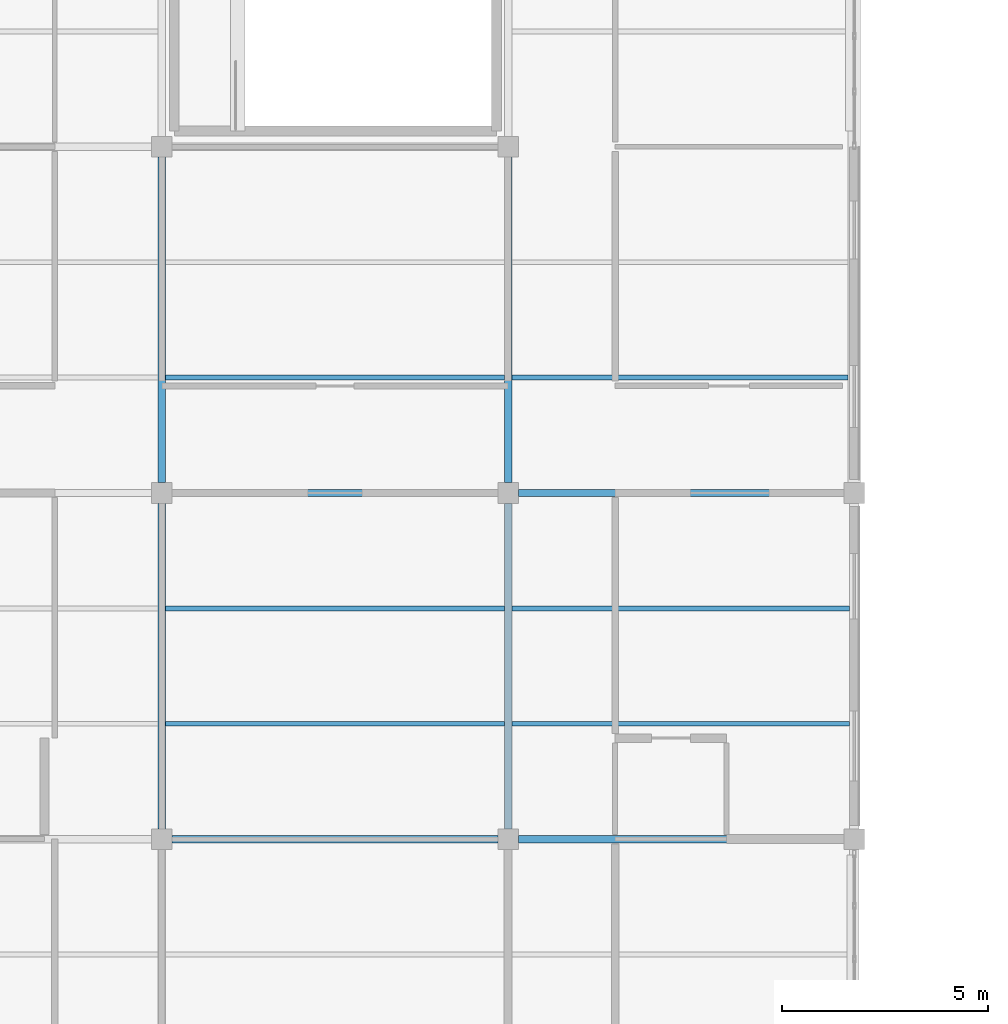
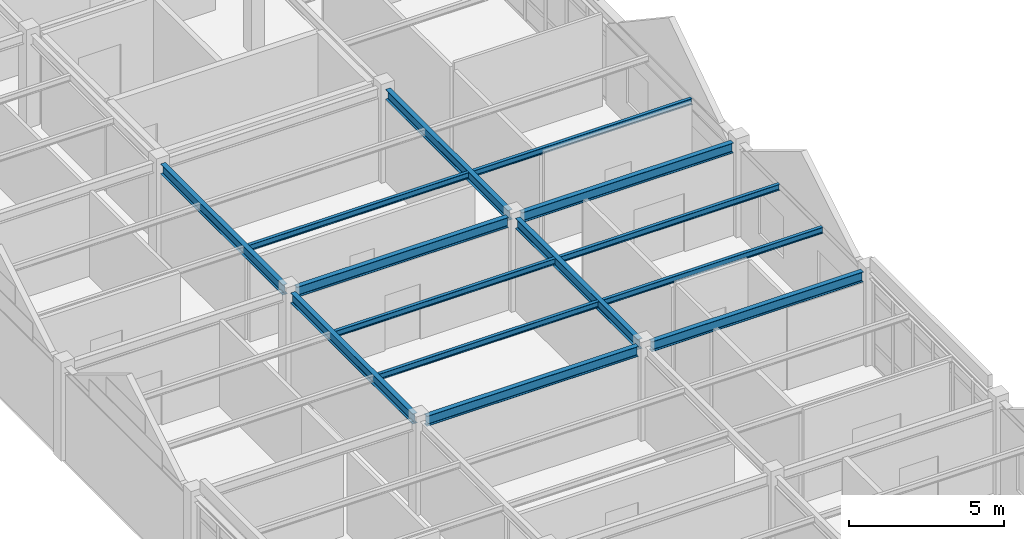
# One storey, part 7 of 45: 14 beams.
"""IFC4 building model written with IfcOpenShell, lengths in metres."""

from ifc_helpers import new_model, si_unit, direction, frame, origin, origin_2d, place, context, subcontext, project, spatial, i_section, extrude, material, material_profile, profile_set, type_object, element, save


model = new_model("IFC4")

# Units and contexts
model_context = context("Model", 3, precision=1e-05, world=origin(), true_north=direction((0.0, 1.0)))
body_context = subcontext(model_context, "Body", "Model", "MODEL_VIEW")
ifc_project = project(units=[si_unit("LENGTHUNIT", "METRE"), si_unit("AREAUNIT", "SQUARE_METRE"), si_unit("VOLUMEUNIT", "CUBIC_METRE"), si_unit("PLANEANGLEUNIT", "RADIAN"), si_unit("MASSUNIT", "GRAM", prefix="KILO")], contexts=[model_context])

# Site, building, storey
site_placement = place(None, origin())
site = spatial("IfcSite", under=ifc_project, at=site_placement, CompositionType="ELEMENT")
building_placement = place(site_placement, origin())
building = spatial("IfcBuilding", under=site, at=building_placement, Name="Bramfleet General Hospital", CompositionType="ELEMENT")
storey_placement = place(building_placement, frame((0.0, 0.0, 30.300048828125)))
storey = spatial("IfcBuildingStorey", under=building, at=storey_placement, Name="L07", CompositionType="ELEMENT", Elevation=30.300048828125)

# Beams
ifc_material = material(Name="Steel S355", Category="steel")
ifc_material_profile_1 = material_profile(ifc_material, i_section(OverallWidth=0.1201171875, OverallDepth=0.239990234375, WebThickness=0.006103515625, FlangeThickness=0.009765625, FilletRadius=0.014892578125, at=origin_2d()), Name="IPE 240")
ifc_profile_set_1 = profile_set([ifc_material_profile_1], Name="Steel S355")
beam_type_1 = type_object("IfcBeamType", Name="BM-IPE240", PredefinedType="JOIST", material=ifc_profile_set_1)
for number, where, z_axis, x_axis, name in (
    (1, (100.889892578125, 53.199951171875, 3.5400390625), (1.0, 0.0, 0.0), (0.0, 1.0, 0.0), "L07 Secondary Joist 12-06-1"),
    (2, (100.889892578125, 56.0, 3.5400390625), (1.0, 0.0, 0.0), (0.0, 1.0, 0.0), "L07 Secondary Joist 12-06-2"),
    (3, (100.889892578125, 61.60009765625, 3.5400390625), (1.0, 0.0, 0.0), (0.0, 1.0, 0.0), "L07 Secondary Joist 12-07-1"),
):
    element("IfcBeam", number, at=place(storey_placement, frame(where, z_axis=z_axis, x_axis=x_axis)), inside=storey, type_object=beam_type_1, Name=name, PredefinedType="JOIST", context=body_context, shape_type="SweptSolid", body=[
        extrude(i_section(OverallWidth=0.1201171875, OverallDepth=0.239990234375, WebThickness=0.006103515625, FlangeThickness=0.009765625, FilletRadius=0.014892578125, at=origin_2d()), origin(), (0.0, 0.0, 1.0), 8.22021484375),
    ])
for number, where, z_axis, x_axis, name in (
    (4, (109.2900390625, 53.199951171875, 3.5400390625), (1.0, 0.0, 0.0), (0.0, 1.0, 0.0), "L07 Secondary Joist 13-06-1"),
    (5, (109.2900390625, 56.0, 3.5400390625), (1.0, 0.0, 0.0), (0.0, 1.0, 0.0), "L07 Secondary Joist 13-06-2"),
):
    element("IfcBeam", number, at=place(storey_placement, frame(where, z_axis=z_axis, x_axis=x_axis)), inside=storey, type_object=beam_type_1, Name=name, PredefinedType="JOIST", context=body_context, shape_type="SweptSolid", body=[
        extrude(i_section(OverallWidth=0.1201171875, OverallDepth=0.239990234375, WebThickness=0.006103515625, FlangeThickness=0.009765625, FilletRadius=0.014892578125, at=origin_2d()), origin(), (0.0, 0.0, 1.0), 8.18994140625),
    ])
beam_1_placement = place(storey_placement, frame((109.2900390625, 61.60009765625, 3.5400390625), z_axis=(1.0, 0.0, 0.0), x_axis=(0.0, 1.0, 0.0)))
element("IfcBeam", 6, at=beam_1_placement, inside=storey, type_object=beam_type_1, Name="L07 Secondary Joist 13-07-1", PredefinedType="JOIST", context=body_context, shape_type="SweptSolid", body=[
    extrude(i_section(OverallWidth=0.1201171875, OverallDepth=0.239990234375, WebThickness=0.006103515625, FlangeThickness=0.009765625, FilletRadius=0.014892578125, at=origin_2d()), origin(), (0.0, 0.0, 1.0), 8.159912109375),
])
ifc_material_profile_2 = material_profile(ifc_material, i_section(OverallWidth=0.179931640625, OverallDepth=0.39990234375, WebThickness=0.008544921875, FlangeThickness=0.013427734375, FilletRadius=0.02099609375, at=origin_2d()), Name="IPE 400")
ifc_profile_set_2 = profile_set([ifc_material_profile_2], Name="Steel S355")
beam_type_2 = type_object("IfcBeamType", Name="BM-IPE400", PredefinedType="BEAM", material=ifc_profile_set_2)
for number, where, z_axis, x_axis, name in (
    (7, (101.050048828125, 50.39990234375, 3.4599609375), (1.0, 0.0, 0.0), (0.0, 1.0, 0.0), "L07 Grid Beam X 12-06"),
    (8, (101.050048828125, 58.800048828125, 3.4599609375), (1.0, 0.0, 0.0), (0.0, 1.0, 0.0), "L07 Grid Beam X 12-07"),
):
    element("IfcBeam", number, at=place(storey_placement, frame(where, z_axis=z_axis, x_axis=x_axis)), inside=storey, type_object=beam_type_2, Name=name, PredefinedType="BEAM", context=body_context, shape_type="SweptSolid", body=[
        extrude(i_section(OverallWidth=0.179931640625, OverallDepth=0.39990234375, WebThickness=0.008544921875, FlangeThickness=0.013427734375, FilletRadius=0.02099609375, at=origin_2d()), origin(), (0.0, 0.0, 1.0), 7.89990234375),
    ])
for number, where, z_axis, x_axis, name in (
    (9, (109.449951171875, 50.39990234375, 3.4599609375), (1.0, 0.0, 0.0), (0.0, 1.0, 0.0), "L07 Grid Beam X 13-06"),
    (10, (109.449951171875, 58.800048828125, 3.4599609375), (1.0, 0.0, 0.0), (0.0, 1.0, 0.0), "L07 Grid Beam X 13-07"),
    (11, (100.800048828125, 50.64990234375, 3.4599609375), (0.0, 1.0, 0.0), (-1.0, 0.0, 0.0), "L07 Grid Beam Y 12-06"),
):
    element("IfcBeam", number, at=place(storey_placement, frame(where, z_axis=z_axis, x_axis=x_axis)), inside=storey, type_object=beam_type_2, Name=name, PredefinedType="BEAM", context=body_context, shape_type="SweptSolid", body=[
        extrude(i_section(OverallWidth=0.179931640625, OverallDepth=0.39990234375, WebThickness=0.008544921875, FlangeThickness=0.013427734375, FilletRadius=0.02099609375, at=origin_2d()), origin(), (0.0, 0.0, 1.0), 7.900146484375),
    ])
beam_2_placement = place(storey_placement, frame((100.800048828125, 59.050048828125, 3.4599609375), z_axis=(0.0, 1.0, 0.0), x_axis=(-1.0, 0.0, 0.0)))
element("IfcBeam", 12, at=beam_2_placement, inside=storey, type_object=beam_type_2, Name="L07 Grid Beam Y 12-07", PredefinedType="BEAM", context=body_context, shape_type="SweptSolid", body=[
    extrude(i_section(OverallWidth=0.179931640625, OverallDepth=0.39990234375, WebThickness=0.008544921875, FlangeThickness=0.013427734375, FilletRadius=0.02099609375, at=origin_2d()), origin(), (0.0, 0.0, 1.0), 7.89990234375),
])
beam_3_placement = place(storey_placement, frame((109.199951171875, 50.64990234375, 3.4599609375), z_axis=(0.0, 1.0, 0.0), x_axis=(-1.0, 0.0, 0.0)))
element("IfcBeam", 13, at=beam_3_placement, inside=storey, type_object=beam_type_2, Name="L07 Grid Beam Y 13-06", PredefinedType="BEAM", context=body_context, shape_type="SweptSolid", body=[
    extrude(i_section(OverallWidth=0.179931640625, OverallDepth=0.39990234375, WebThickness=0.008544921875, FlangeThickness=0.013427734375, FilletRadius=0.02099609375, at=origin_2d()), origin(), (0.0, 0.0, 1.0), 7.900146484375),
])
beam_4_placement = place(storey_placement, frame((109.199951171875, 59.050048828125, 3.4599609375), z_axis=(0.0, 1.0, 0.0), x_axis=(-1.0, 0.0, 0.0)))
element("IfcBeam", 14, at=beam_4_placement, inside=storey, type_object=beam_type_2, Name="L07 Grid Beam Y 13-07", PredefinedType="BEAM", context=body_context, shape_type="SweptSolid", body=[
    extrude(i_section(OverallWidth=0.179931640625, OverallDepth=0.39990234375, WebThickness=0.008544921875, FlangeThickness=0.013427734375, FilletRadius=0.02099609375, at=origin_2d()), origin(), (0.0, 0.0, 1.0), 7.89990234375),
])

save(model, "model.ifc")
